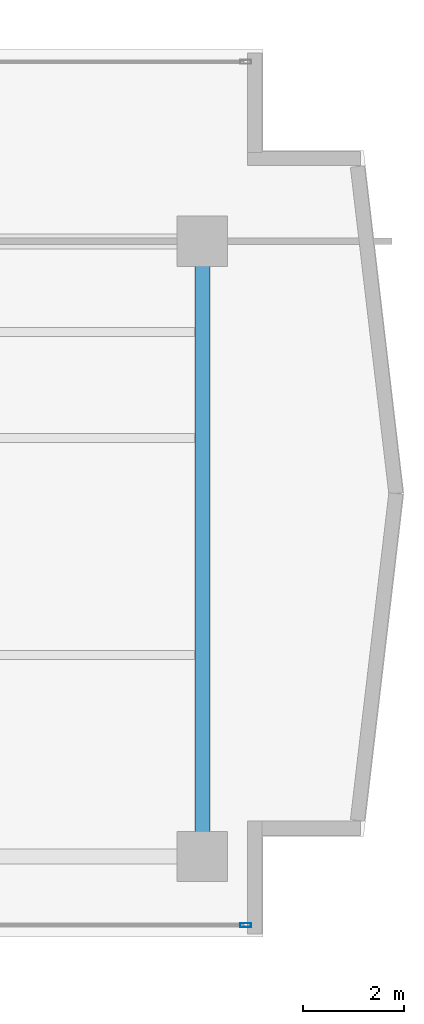
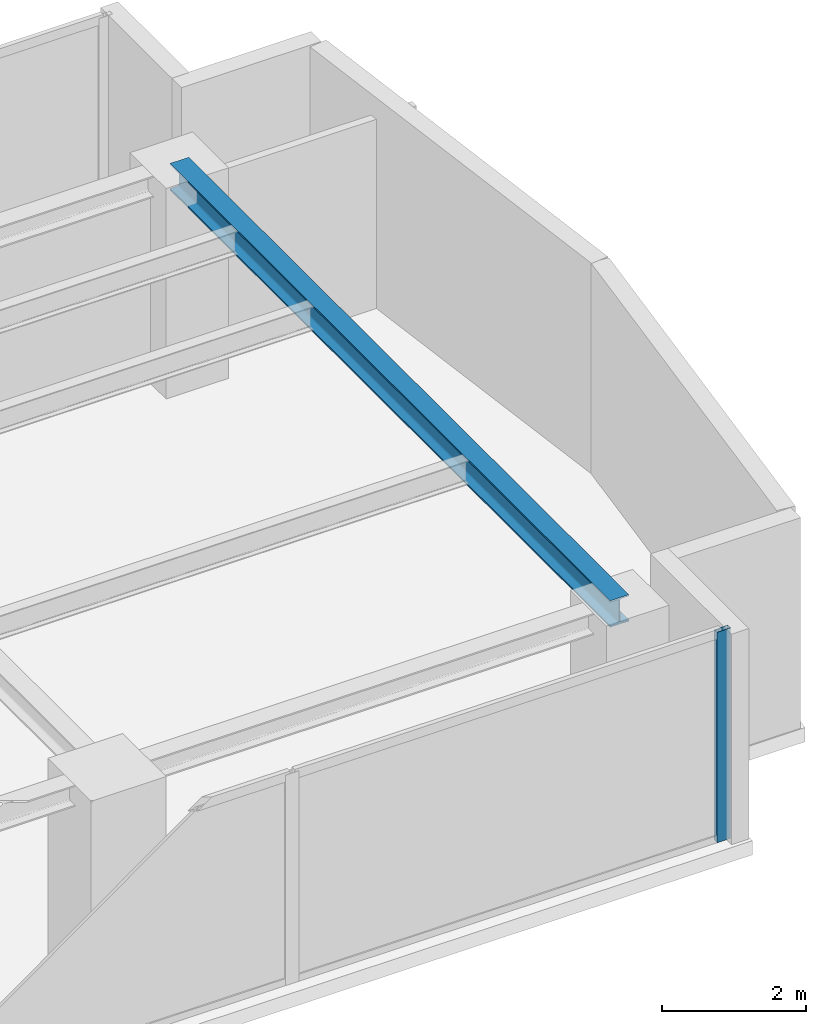
# One storey, part 12 of 24: 1 beam, 1 member, 1 element without a shape of its own.
"""IFC4 building model written with IfcOpenShell, lengths in metres."""

from ifc_helpers import new_model, si_unit, direction, frame, origin, origin_with_axes, origin_2d, place, context, subcontext, project, spatial, hollow_rectangle, i_section, extrude, source, transform, mapped, material, layer, layer_set, material_profile, profile_set, type_object, element, aggregate, save


model = new_model("IFC4")

# Units and contexts
model_context = context("Model", 3, precision=1e-05, world=origin(), true_north=direction((0.0, 1.0)))
body_context = subcontext(model_context, "Body", "Model", "MODEL_VIEW")
ifc_project = project(units=[si_unit("LENGTHUNIT", "METRE"), si_unit("AREAUNIT", "SQUARE_METRE"), si_unit("VOLUMEUNIT", "CUBIC_METRE"), si_unit("PLANEANGLEUNIT", "RADIAN"), si_unit("MASSUNIT", "GRAM", prefix="KILO")], contexts=[model_context])

# Site, building, storey
site_placement = place(None, origin())
site = spatial("IfcSite", under=ifc_project, at=site_placement, CompositionType="ELEMENT")
building_placement = place(site_placement, origin())
building = spatial("IfcBuilding", under=site, at=building_placement, Name="Kolvaren Waterfront Exchange", CompositionType="ELEMENT")
storey_placement = place(building_placement, frame((0.0, 0.0, 153.800048828125)))
storey = spatial("IfcBuildingStorey", under=building, at=storey_placement, Name="L39", CompositionType="ELEMENT", Elevation=153.800048828125)

# Beam
ifc_material_1 = material(Name="Steel S355", Category="steel")
ifc_material_profile_1 = material_profile(ifc_material_1, i_section(OverallWidth=0.300048828125, OverallDepth=0.449951171875, WebThickness=0.013916015625, FlangeThickness=0.02587890625, FilletRadius=0.027099609375, at=origin_2d()), Name="HEB450")
ifc_profile_set_1 = profile_set([ifc_material_profile_1], Name="Steel S355")
beam_type = type_object("IfcBeamType", Name="STR-BM-HEB450", PredefinedType="BEAM", material=ifc_profile_set_1)
beam_placement = place(storey_placement, frame((53.800048828125, 5.199951171875, 3.3349609375), z_axis=(0.0, 1.0, 0.0), x_axis=(-1.0, 0.0, 0.0)))
element("IfcBeam", 1, at=beam_placement, inside=storey, type_object=beam_type, Name="L39 east-arm transverse girder X53", PredefinedType="BEAM", context=body_context, shape_type="SweptSolid", body=[
    extrude(i_section(OverallWidth=0.300048828125, OverallDepth=0.449951171875, WebThickness=0.013916015625, FlangeThickness=0.02587890625, FilletRadius=0.027099609375, at=origin_2d()), origin(), (0.0, 0.0, 1.0), 12.199951171875),
])

# Curtain wall, member
ifc_material_2 = material(Name="Anodised bronze aluminium 6063-T6", Category="aluminium")
ifc_layer = layer(ifc_material_2, 0.219970703125, Name="Anodised bronze aluminium 6063-T6")
ifc_layer_set = layer_set([ifc_layer], Name="Anodised bronze aluminium 6063-T6")
curtain_wall_type = type_object("IfcCurtainWallType", Name="ARC-CW-SYS1", PredefinedType="USERDEFINED", material=ifc_layer_set)
curtain_wall_placement = place(storey_placement, origin())
curtain_wall = element("IfcCurtainWall", 2, at=curtain_wall_placement, inside=storey, type_object=curtain_wall_type, Name="L39 stick curtain wall CW1 (CW-L39-S)", ObjectType="STICK CURTAIN WALL", PredefinedType="USERDEFINED")
ifc_material_3 = material(Name="Anodised aluminium 6063-T6", Category="aluminium")
ifc_material_profile_2 = material_profile(ifc_material_3, hollow_rectangle(XDim=0.080078125, YDim=0.219970703125, WallThickness=0.0048828125, at=origin_2d()), Name="ALU-MUL-220x80x5")
ifc_profile_set_2 = profile_set([ifc_material_profile_2], Name="Anodised aluminium 6063-T6")
member_type = type_object("IfcMemberType", Name="ARC-CWM-220", PredefinedType="MULLION", material=ifc_profile_set_2)
shared_shape = source(origin_with_axes(), body_context, "Body", "SweptSolid", [
    extrude(hollow_rectangle(XDim=0.080078125, YDim=0.219970703125, WallThickness=0.0048828125, at=origin_2d()), origin(), (0.0, 0.0, 1.0), 3.56005859375),
])
member_placement = place(storey_placement, frame((54.659912109375, 3.840087890625, 0.0), z_axis=(0.0, 0.0, 1.0), x_axis=(0.0, 1.0, 0.0)))
member = element("IfcMember", 3, at=member_placement, type_object=member_type, Name="CW1 mullion 8", PredefinedType="MULLION", context=body_context, shape_type="MappedRepresentation", body=[
    mapped(shared_shape, transform((0.0, 0.0, 0.0), x_axis=(1.0, 0.0, 0.0), y_axis=(0.0, 1.0, 0.0), z_axis=(0.0, 0.0, 1.0), scale=1.0)),
])
aggregate(curtain_wall, [member])

save(model, "model.ifc")
